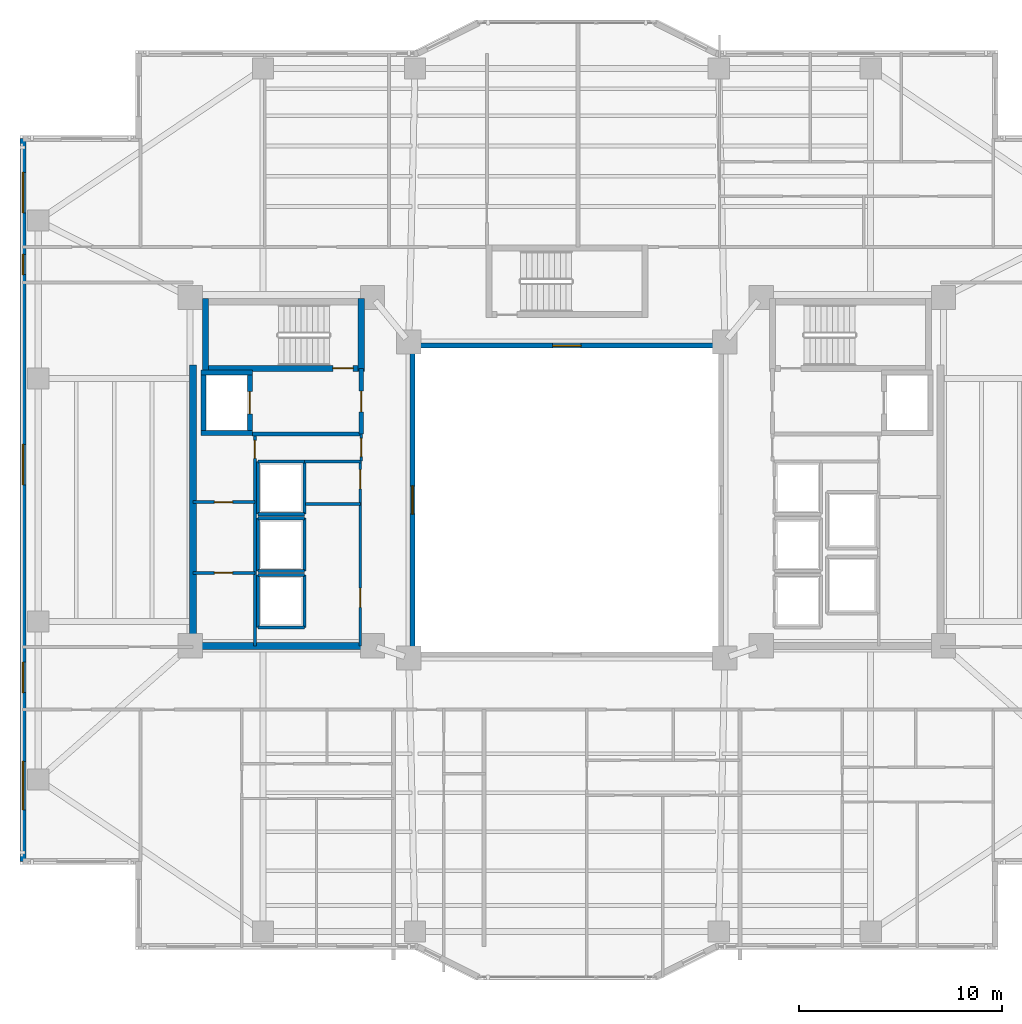
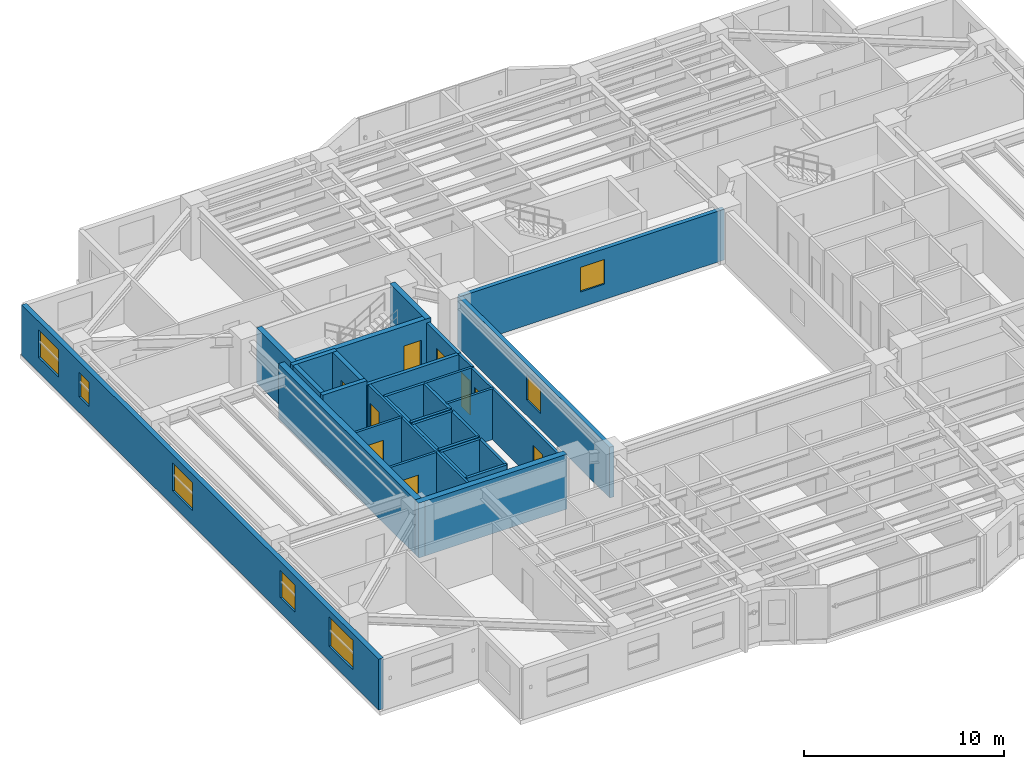
# One storey, part 7 of 18: 33 walls, 9 doors, 7 windows, 16 openings.
"""IFC4 building model written with IfcOpenShell, lengths in metres."""

from ifc_helpers import new_model, si_unit, direction, frame, frame_2d, origin, place, context, subcontext, project, spatial, rectangle, extrude, material, layer, layer_set, type_object, element, fill, save


model = new_model("IFC4")

# Units and contexts
model_context = context("Model", 3, precision=1e-05, world=origin(), true_north=direction((0.0, 1.0)))
body_context = subcontext(model_context, "Body", "Model", "MODEL_VIEW")
ifc_project = project(units=[si_unit("LENGTHUNIT", "METRE"), si_unit("AREAUNIT", "SQUARE_METRE"), si_unit("VOLUMEUNIT", "CUBIC_METRE"), si_unit("PLANEANGLEUNIT", "RADIAN"), si_unit("MASSUNIT", "GRAM", prefix="KILO")], contexts=[model_context])

# Site, building, storey
site_placement = place(None, origin())
site = spatial("IfcSite", under=ifc_project, at=site_placement, CompositionType="ELEMENT")
building_placement = place(site_placement, origin())
building = spatial("IfcBuilding", under=site, at=building_placement, Name="Tarnavaz Court Tower", CompositionType="ELEMENT")
storey_placement = place(building_placement, frame((0.0, 0.0, 88.35009765625)))
storey = spatial("IfcBuildingStorey", under=building, at=storey_placement, Name="L23", CompositionType="ELEMENT", Elevation=88.35009765625)

# Wall
ifc_material_1 = material(Name="Concrete C60/75", Category="concrete")
ifc_layer_1 = layer(ifc_material_1, 0.25)
ifc_layer_set_1 = layer_set([ifc_layer_1], Name="Concrete C60/75")
wall_type_1 = type_object("IfcWallType", Name="WL-CORE-250-C60", PredefinedType="SHEAR", material=ifc_layer_set_1)
wall_1_placement = place(storey_placement, frame((-17.949951171875, 3.175048828125, 0.0), z_axis=(0.0, 0.0, 1.0), x_axis=(0.0, 1.0, 0.0)))
element("IfcWall", 1, at=wall_1_placement, inside=storey, type_object=wall_type_1, Name="L23 Lift FL-W1 Shaft Wall 017", PredefinedType="SHEAR", context=body_context, shape_type="SweptSolid", body=[
    extrude(rectangle(XDim=3.25, YDim=0.25, at=frame_2d((1.625, 0.0))), origin(), (0.0, 0.0, 1.0), 3.349853515625),
])

# Wall, opening, door
wall_2_placement = place(storey_placement, frame((-15.64990234375, 3.175048828125, 0.0), z_axis=(0.0, 0.0, 1.0), x_axis=(0.0, 1.0, 0.0)))
wall_2 = element("IfcWall", 2, at=wall_2_placement, inside=storey, type_object=wall_type_1, Name="L23 Lift FL-W1 Shaft Wall 018", PredefinedType="SHEAR", context=body_context, shape_type="SweptSolid", body=[
    extrude(rectangle(XDim=3.25, YDim=0.25, at=frame_2d((1.625, 0.0))), origin(), (0.0, 0.0, 1.0), 3.349853515625),
])
opening_1_placement = place(wall_2_placement, frame((1.074951171875, 0.0, 0.0)))
opening_1 = element("IfcOpeningElement", 3, at=opening_1_placement, cuts=wall_2, Name="Opening LD1", PredefinedType="OPENING", context=body_context, shape_type="SweptSolid", body=[
    extrude(rectangle(XDim=1.10009765625, YDim=2.14990234375, at=frame_2d((0.550048828125, 1.074951171875))), frame((0.0, 0.135009765625, 0.0), z_axis=(0.0, -1.0, 0.0), x_axis=(1.0, 0.0, 0.0)), (0.0, 0.0, 1.0), 0.27001953125),
])
ifc_material_2 = material(Name="Stainless Steel", Category="steel")
door_type_1 = type_object("IfcDoorType", Name="DR-LD-1100", OperationType="NOTDEFINED", PredefinedType="DOOR", material=ifc_material_2)
door_1_placement = place(opening_1_placement, origin())
door_1 = element("IfcDoor", 4, at=door_1_placement, inside=storey, type_object=door_type_1, Name="L23 Lift Landing Door LD-FL-W1", OperationType="SLIDING_TO_LEFT", OverallHeight=2.14990234375, OverallWidth=1.10009765625, PredefinedType="DOOR", context=body_context, shape_type="SweptSolid", body=[
    extrude(rectangle(XDim=1.10009765625, YDim=2.14990234375, at=frame_2d((0.550048828125, 1.074951171875))), frame((0.0, 0.02490234375, 0.0), z_axis=(0.0, -1.0, 0.0), x_axis=(1.0, 0.0, 0.0)), (0.0, 0.0, 1.0), 0.050048828125),
])
fill(opening_1, door_1)

# Walls
for number, where, z_axis, x_axis, name in (
    (5, (-18.074951171875, 3.300048828125, 0.0), (0.0, 0.0, 1.0), (1.0, 0.0, 0.0), "L23 Lift FL-W1 Shaft Wall 019"),
    (6, (-18.074951171875, 6.300048828125, 0.0), (0.0, 0.0, 1.0), (1.0, 0.0, 0.0), "L23 Lift FL-W1 Shaft Wall 020"),
):
    element("IfcWall", number, at=place(storey_placement, frame(where, z_axis=z_axis, x_axis=x_axis)), inside=storey, type_object=wall_type_1, Name=name, PredefinedType="SHEAR", context=body_context, shape_type="SweptSolid", body=[
        extrude(rectangle(XDim=2.550048828125, YDim=0.25, at=frame_2d((1.27490234375, 0.0))), origin(), (0.0, 0.0, 1.0), 3.349853515625),
    ])

# Wall, opening, door
ifc_layer_2 = layer(ifc_material_1, 0.300048828125)
ifc_layer_set_2 = layer_set([ifc_layer_2], Name="Concrete C60/75")
wall_type_2 = type_object("IfcWallType", Name="WL-CORE-300-C60", PredefinedType="SHEAR", material=ifc_layer_set_2)
wall_3_placement = place(storey_placement, frame((-18.0, 6.5, 0.0), z_axis=(0.0, 0.0, 1.0), x_axis=(1.0, 0.0, 0.0)))
wall_3 = element("IfcWall", 7, at=wall_3_placement, inside=storey, type_object=wall_type_2, Name="L23 West Stair Core Wall 002", PredefinedType="SHEAR", context=body_context, shape_type="SweptSolid", body=[
    extrude(rectangle(XDim=8.0, YDim=0.300048828125, at=frame_2d((4.0, 0.0))), origin(), (0.0, 0.0, 1.0), 3.349853515625),
])
opening_2_placement = place(wall_3_placement, frame((6.449951171875, 0.0, 0.0)))
opening_2 = element("IfcOpeningElement", 8, at=opening_2_placement, cuts=wall_3, Name="Opening D01", PredefinedType="OPENING", context=body_context, shape_type="SweptSolid", body=[
    extrude(rectangle(XDim=1.0, YDim=2.14990234375, at=frame_2d((0.5, 1.074951171875))), frame((0.0, 0.159912109375, 0.0), z_axis=(0.0, -1.0, 0.0), x_axis=(1.0, 0.0, 0.0)), (0.0, 0.0, 1.0), 0.320068359375),
])
ifc_material_3 = material(Name="Fire-Rated Hardwood Timber Core", Category="wood")
door_type_2 = type_object("IfcDoorType", Name="DR-FD90-1000", OperationType="NOTDEFINED", PredefinedType="DOOR", material=ifc_material_3)
door_2_placement = place(opening_2_placement, origin())
door_2 = element("IfcDoor", 9, at=door_2_placement, inside=storey, type_object=door_type_2, Name="L23 Stair ST-W1 Exit Door", OperationType="SINGLE_SWING_LEFT", OverallHeight=2.14990234375, OverallWidth=1.0, PredefinedType="DOOR", context=body_context, shape_type="SweptSolid", body=[
    extrude(rectangle(XDim=1.0, YDim=2.14990234375, at=frame_2d((0.5, 1.074951171875))), frame((0.0, 0.02490234375, 0.0), z_axis=(0.0, -1.0, 0.0), x_axis=(1.0, 0.0, 0.0)), (0.0, 0.0, 1.0), 0.050048828125),
])
fill(opening_2, door_2)

# Walls
for number, where, z_axis, x_axis, name in (
    (10, (-17.85009765625, 6.35009765625, 0.0), (0.0, 0.0, 1.0), (0.0, 1.0, 0.0), "L23 West Stair Core Wall 003"),
    (11, (-10.14990234375, 6.35009765625, 0.0), (0.0, 0.0, 1.0), (0.0, 1.0, 0.0), "L23 West Stair Core Wall 004"),
):
    element("IfcWall", number, at=place(storey_placement, frame(where, z_axis=z_axis, x_axis=x_axis)), inside=storey, type_object=wall_type_2, Name=name, PredefinedType="SHEAR", context=body_context, shape_type="SweptSolid", body=[
        extrude(rectangle(XDim=3.58984375, YDim=0.300048828125, at=frame_2d((1.794921875, 0.0))), origin(), (0.0, 0.0, 1.0), 3.349853515625),
    ])
ifc_layer_3 = layer(ifc_material_1, 0.35009765625)
ifc_layer_set_3 = layer_set([ifc_layer_3], Name="Concrete C60/75")
wall_type_3 = type_object("IfcWallType", Name="WL-CORE-350-C60", PredefinedType="SHEAR", material=ifc_layer_set_3)
wall_4_placement = place(storey_placement, frame((-18.449951171875, -7.375, 0.0), z_axis=(0.0, 0.0, 1.0), x_axis=(0.0, 1.0, 0.0)))
element("IfcWall", 12, at=wall_4_placement, inside=storey, type_object=wall_type_3, Name="L23 West Core Shear Wall 057", PredefinedType="SHEAR", context=body_context, shape_type="SweptSolid", body=[
    extrude(rectangle(XDim=14.050048828125, YDim=0.35009765625, at=frame_2d((7.02490234375, 0.0))), origin(), (0.0, 0.0, 1.0), 3.349853515625),
])
wall_5_placement = place(storey_placement, frame((-18.625, -7.199951171875, 0.0), z_axis=(0.0, 0.0, 1.0), x_axis=(1.0, 0.0, 0.0)))
element("IfcWall", 13, at=wall_5_placement, inside=storey, type_object=wall_type_3, Name="L23 West Core South Shear Wall 058", PredefinedType="SHEAR", context=body_context, shape_type="SweptSolid", body=[
    extrude(rectangle(XDim=8.550048828125, YDim=0.35009765625, at=frame_2d((4.27490234375, 0.0))), origin(), (0.0, 0.0, 1.0), 3.349853515625),
])

# Wall, openings, windows
ifc_material_4 = material(Name="Precast Concrete C40/50", Category="concrete")
ifc_layer_4 = layer(ifc_material_4, 0.280029296875)
ifc_layer_set_4 = layer_set([ifc_layer_4], Name="Precast Concrete C40/50")
wall_type_4 = type_object("IfcWallType", Name="WL-EXT-280", PredefinedType="SOLIDWALL", material=ifc_layer_set_4)
wall_6_placement = place(storey_placement, frame((-26.85009765625, -17.85009765625, 0.0), z_axis=(0.0, 0.0, 1.0), x_axis=(0.0, 1.0, 0.0)))
wall_6 = element("IfcWall", 14, at=wall_6_placement, inside=storey, type_object=wall_type_4, Name="L23 Exterior Terracotta Facade Wall 02", PredefinedType="SOLIDWALL", context=body_context, shape_type="SweptSolid", body=[
    extrude(rectangle(XDim=35.7001953125, YDim=0.280029296875, at=frame_2d((17.85009765625, 0.0))), origin(), (0.0, 0.0, 1.0), 3.099853515625),
])
opening_3_placement = place(wall_6_placement, frame((2.550048828125, 0.0, 0.89990234375)))
opening_3 = element("IfcOpeningElement", 15, at=opening_3_placement, cuts=wall_6, Name="Opening W06", PredefinedType="OPENING", context=body_context, shape_type="SweptSolid", body=[
    extrude(rectangle(XDim=2.39990234375, YDim=1.800048828125, at=frame_2d((1.199951171875, 0.89990234375))), frame((0.0, 0.14990234375, 0.0), z_axis=(0.0, -1.0, 0.0), x_axis=(1.0, 0.0, 0.0)), (0.0, 0.0, 1.0), 0.300048828125),
])
opening_4_placement = place(wall_6_placement, frame((8.342529296875, 0.0, 0.89990234375)))
opening_4 = element("IfcOpeningElement", 16, at=opening_4_placement, cuts=wall_6, Name="Opening W03", PredefinedType="OPENING", context=body_context, shape_type="SweptSolid", body=[
    extrude(rectangle(XDim=1.5, YDim=1.64990234375, at=frame_2d((0.75, 0.824951171875))), frame((0.0, 0.14990234375, 0.0), z_axis=(0.0, -1.0, 0.0), x_axis=(1.0, 0.0, 0.0)), (0.0, 0.0, 1.0), 0.300048828125),
])
opening_5_placement = place(wall_6_placement, frame((18.60009765625, 0.0, 0.89990234375)))
opening_5 = element("IfcOpeningElement", 17, at=opening_5_placement, cuts=wall_6, Name="Opening W08", PredefinedType="OPENING", context=body_context, shape_type="SweptSolid", body=[
    extrude(rectangle(XDim=2.0, YDim=1.699951171875, at=frame_2d((1.0, 0.85009765625))), frame((0.0, 0.14990234375, 0.0), z_axis=(0.0, -1.0, 0.0), x_axis=(1.0, 0.0, 0.0)), (0.0, 0.0, 1.0), 0.300048828125),
])
opening_6_placement = place(wall_6_placement, frame((28.97509765625, 0.0, 0.949951171875)))
opening_6 = element("IfcOpeningElement", 18, at=opening_6_placement, cuts=wall_6, Name="Opening W14", PredefinedType="OPENING", context=body_context, shape_type="SweptSolid", body=[
    extrude(rectangle(XDim=1.0, YDim=1.5, at=frame_2d((0.5, 0.75))), frame((0.0, 0.14990234375, 0.0), z_axis=(0.0, -1.0, 0.0), x_axis=(1.0, 0.0, 0.0)), (0.0, 0.0, 1.0), 0.300048828125),
])
opening_7_placement = place(wall_6_placement, frame((32.02490234375, 0.0, 0.89990234375)))
opening_7 = element("IfcOpeningElement", 19, at=opening_7_placement, cuts=wall_6, Name="Opening W08", PredefinedType="OPENING", context=body_context, shape_type="SweptSolid", body=[
    extrude(rectangle(XDim=2.0, YDim=1.699951171875, at=frame_2d((1.0, 0.85009765625))), frame((0.0, 0.14990234375, 0.0), z_axis=(0.0, -1.0, 0.0), x_axis=(1.0, 0.0, 0.0)), (0.0, 0.0, 1.0), 0.300048828125),
])
ifc_material_5 = material(Name="Double-Glazed Solar Low-E Glass", Category="glass")
window_type_1 = type_object("IfcWindowType", Name="WN-APT-1000", PartitioningType="SINGLE_PANEL", PredefinedType="WINDOW", material=ifc_material_5)
window_1_placement = place(opening_6_placement, origin())
window_1 = element("IfcWindow", 20, at=window_1_placement, inside=storey, type_object=window_type_1, Name="L23 North-West Corner Corridor Window", OverallHeight=1.5, OverallWidth=1.0, PartitioningType="SINGLE_PANEL", PredefinedType="WINDOW", context=body_context, shape_type="SweptSolid", body=[
    extrude(rectangle(XDim=1.0, YDim=1.5, at=frame_2d((0.5, 0.75))), frame((0.0, 0.030029296875, 0.0), z_axis=(0.0, -1.0, 0.0), x_axis=(1.0, 0.0, 0.0)), (0.0, 0.0, 1.0), 0.06005859375),
])
fill(opening_6, window_1)
window_type_2 = type_object("IfcWindowType", Name="WN-APT-1500", PartitioningType="DOUBLE_PANEL_VERTICAL", PredefinedType="WINDOW", material=ifc_material_5)
window_2_placement = place(opening_4_placement, origin())
window_2 = element("IfcWindow", 21, at=window_2_placement, inside=storey, type_object=window_type_2, Name="L23 South-West Corner Corridor Window", OverallHeight=1.64990234375, OverallWidth=1.5, PartitioningType="SINGLE_PANEL", PredefinedType="WINDOW", context=body_context, shape_type="SweptSolid", body=[
    extrude(rectangle(XDim=1.5, YDim=1.64990234375, at=frame_2d((0.75, 0.824951171875))), frame((0.0, 0.030029296875, 0.0), z_axis=(0.0, -1.0, 0.0), x_axis=(1.0, 0.0, 0.0)), (0.0, 0.0, 1.0), 0.06005859375),
])
fill(opening_4, window_2)
window_type_3 = type_object("IfcWindowType", Name="WN-APT-2000", PartitioningType="DOUBLE_PANEL_VERTICAL", PredefinedType="WINDOW", material=ifc_material_5)
window_3_placement = place(opening_5_placement, origin())
window_3 = element("IfcWindow", 22, at=window_3_placement, inside=storey, type_object=window_type_3, Name="L23 West Wing Panoramic Study Gallery Window", OverallHeight=1.699951171875, OverallWidth=2.0, PartitioningType="SINGLE_PANEL", PredefinedType="WINDOW", context=body_context, shape_type="SweptSolid", body=[
    extrude(rectangle(XDim=2.0, YDim=1.699951171875, at=frame_2d((1.0, 0.85009765625))), frame((0.0, 0.030029296875, 0.0), z_axis=(0.0, -1.0, 0.0), x_axis=(1.0, 0.0, 0.0)), (0.0, 0.0, 1.0), 0.06005859375),
])
fill(opening_5, window_3)
window_4_placement = place(opening_7_placement, origin())
window_4 = element("IfcWindow", 23, at=window_4_placement, inside=storey, type_object=window_type_3, Name="L23 North-West Corner Sunroom Study Window", OverallHeight=1.699951171875, OverallWidth=2.0, PartitioningType="SINGLE_PANEL", PredefinedType="WINDOW", context=body_context, shape_type="SweptSolid", body=[
    extrude(rectangle(XDim=2.0, YDim=1.699951171875, at=frame_2d((1.0, 0.85009765625))), frame((0.0, 0.030029296875, 0.0), z_axis=(0.0, -1.0, 0.0), x_axis=(1.0, 0.0, 0.0)), (0.0, 0.0, 1.0), 0.06005859375),
])
fill(opening_7, window_4)
window_type_4 = type_object("IfcWindowType", Name="WN-APT-2400", PartitioningType="TRIPLE_PANEL_VERTICAL", PredefinedType="WINDOW", material=ifc_material_5)
window_5_placement = place(opening_3_placement, origin())
window_5 = element("IfcWindow", 24, at=window_5_placement, inside=storey, type_object=window_type_4, Name="L23 South-West Corner Reading Room Window", OverallHeight=1.800048828125, OverallWidth=2.39990234375, PartitioningType="SINGLE_PANEL", PredefinedType="WINDOW", context=body_context, shape_type="SweptSolid", body=[
    extrude(rectangle(XDim=2.39990234375, YDim=1.800048828125, at=frame_2d((1.199951171875, 0.89990234375))), frame((0.0, 0.030029296875, 0.0), z_axis=(0.0, -1.0, 0.0), x_axis=(1.0, 0.0, 0.0)), (0.0, 0.0, 1.0), 0.06005859375),
])
fill(opening_3, window_5)

# Wall
ifc_material_6 = material(Name="Autoclaved Aerated Concrete Blockwork", Category="masonry")
ifc_layer_5 = layer(ifc_material_6, 0.199951171875)
ifc_layer_set_5 = layer_set([ifc_layer_5], Name="Autoclaved Aerated Concrete Blockwork")
wall_type_5 = type_object("IfcWallType", Name="WL-FIRE-200", PredefinedType="SOLIDWALL", material=ifc_layer_set_5)
wall_7_placement = place(storey_placement, frame((-15.550048828125, 3.25, 0.0), z_axis=(0.0, 0.0, 1.0), x_axis=(1.0, 0.0, 0.0)))
element("IfcWall", 25, at=wall_7_placement, inside=storey, type_object=wall_type_5, Name="L23 West Firefighting Lobby Wall 013", PredefinedType="SOLIDWALL", context=body_context, shape_type="SweptSolid", body=[
    extrude(rectangle(XDim=5.400146484375, YDim=0.199951171875, at=frame_2d((2.7001953125, 0.0))), origin(), (0.0, 0.0, 1.0), 3.099853515625),
])

# Wall, opening, door
wall_8_placement = place(storey_placement, frame((-10.14990234375, 3.25, 0.0), z_axis=(0.0, 0.0, 1.0), x_axis=(0.0, 1.0, 0.0)))
wall_8 = element("IfcWall", 26, at=wall_8_placement, inside=storey, type_object=wall_type_5, Name="L23 West Firefighting Lobby Wall 014", PredefinedType="SOLIDWALL", context=body_context, shape_type="SweptSolid", body=[
    extrude(rectangle(XDim=3.25, YDim=0.199951171875, at=frame_2d((1.625, 0.0))), origin(), (0.0, 0.0, 1.0), 3.099853515625),
])
opening_8_placement = place(wall_8_placement, frame((1.10009765625, 0.0, 0.0)))
opening_8 = element("IfcOpeningElement", 27, at=opening_8_placement, cuts=wall_8, Name="Opening D05", PredefinedType="OPENING", context=body_context, shape_type="SweptSolid", body=[
    extrude(rectangle(XDim=1.02001953125, YDim=2.14990234375, at=frame_2d((0.510009765625, 1.074951171875))), frame((0.0, 0.10986328125, 0.0), z_axis=(0.0, -1.0, 0.0), x_axis=(1.0, 0.0, 0.0)), (0.0, 0.0, 1.0), 0.219970703125),
])
door_type_3 = type_object("IfcDoorType", Name="DR-FD60-1000", OperationType="NOTDEFINED", PredefinedType="DOOR", material=ifc_material_3)
door_3_placement = place(opening_8_placement, origin())
door_3 = element("IfcDoor", 28, at=door_3_placement, inside=storey, type_object=door_type_3, Name="L23 West Firefighting Lobby Door", OperationType="SINGLE_SWING_RIGHT", OverallHeight=2.14990234375, OverallWidth=1.02001953125, PredefinedType="DOOR", context=body_context, shape_type="SweptSolid", body=[
    extrude(rectangle(XDim=1.02001953125, YDim=2.14990234375, at=frame_2d((0.510009765625, 1.074951171875))), frame((0.0, 0.02490234375, 0.0), z_axis=(0.0, -1.0, 0.0), x_axis=(1.0, 0.0, 0.0)), (0.0, 0.0, 1.0), 0.050048828125),
])
fill(opening_8, door_3)

# Wall
ifc_material_7 = material(Name="Gypsum Plasterboard Acoustic Partition", Category="masonry")
ifc_layer_6 = layer(ifc_material_7, 0.139892578125)
ifc_layer_set_6 = layer_set([ifc_layer_6], Name="Gypsum Plasterboard Acoustic Partition")
wall_type_6 = type_object("IfcWallType", Name="WL-PART-150", PredefinedType="PARTITIONING", material=ifc_layer_set_6)
wall_9_placement = place(storey_placement, frame((-12.949951171875, 1.89990234375, 0.0), z_axis=(0.0, 0.0, 1.0), x_axis=(1.0, 0.0, 0.0)))
element("IfcWall", 29, at=wall_9_placement, inside=storey, type_object=wall_type_6, Name="L23 Interior Partition 061", PredefinedType="PARTITIONING", context=body_context, shape_type="SweptSolid", body=[
    extrude(rectangle(XDim=2.800048828125, YDim=0.139892578125, at=frame_2d((1.39990234375, 0.0))), origin(), (0.0, 0.0, 1.0), 3.099853515625),
])

# Wall, opening, door
wall_10_placement = place(storey_placement, frame((-10.14990234375, 1.919921875, 0.0), z_axis=(0.0, 0.0, 1.0), x_axis=(0.0, 1.0, 0.0)))
wall_10 = element("IfcWall", 30, at=wall_10_placement, inside=storey, type_object=wall_type_6, Name="L23 Interior Partition 062", PredefinedType="PARTITIONING", context=body_context, shape_type="SweptSolid", body=[
    extrude(rectangle(XDim=1.330078125, YDim=0.139892578125, at=frame_2d((0.6650390625, 0.0))), origin(), (0.0, 0.0, 1.0), 3.099853515625),
])
opening_9_placement = place(wall_10_placement, frame((0.219970703125, 0.0, 0.0)))
opening_9 = element("IfcOpeningElement", 31, at=opening_9_placement, cuts=wall_10, Name="Opening D09", PredefinedType="OPENING", context=body_context, shape_type="SweptSolid", body=[
    extrude(rectangle(XDim=0.89990234375, YDim=2.080078125, at=frame_2d((0.449951171875, 1.0400390625))), frame((0.0, 0.079833984375, 0.0), z_axis=(0.0, -1.0, 0.0), x_axis=(1.0, 0.0, 0.0)), (0.0, 0.0, 1.0), 0.159912109375),
])
door_type_4 = type_object("IfcDoorType", Name="DR-FD30-900", OperationType="NOTDEFINED", PredefinedType="DOOR", material=ifc_material_3)
door_4_placement = place(opening_9_placement, origin())
door_4 = element("IfcDoor", 32, at=door_4_placement, inside=storey, type_object=door_type_4, Name="L23 West Core Service Lobby Door", OperationType="SINGLE_SWING_LEFT", OverallHeight=2.080078125, OverallWidth=0.89990234375, PredefinedType="DOOR", context=body_context, shape_type="SweptSolid", body=[
    extrude(rectangle(XDim=0.89990234375, YDim=2.080078125, at=frame_2d((0.449951171875, 1.0400390625))), frame((0.0, 0.02490234375, 0.0), z_axis=(0.0, -1.0, 0.0), x_axis=(1.0, 0.0, 0.0)), (0.0, 0.0, 1.0), 0.050048828125),
])
fill(opening_9, door_4)

wall_11_placement = place(storey_placement, frame((-15.39990234375, -7.199951171875, 0.0), z_axis=(0.0, 0.0, 1.0), x_axis=(0.0, 1.0, 0.0)))
wall_11 = element("IfcWall", 33, at=wall_11_placement, inside=storey, type_object=wall_type_6, Name="L23 Interior Partition 063", PredefinedType="PARTITIONING", context=body_context, shape_type="SweptSolid", body=[
    extrude(rectangle(XDim=10.449951171875, YDim=0.139892578125, at=frame_2d((5.22509765625, 0.0))), origin(), (0.0, 0.0, 1.0), 3.099853515625),
])
opening_10_placement = place(wall_11_placement, frame((9.25, 0.0, 0.0)))
opening_10 = element("IfcOpeningElement", 34, at=opening_10_placement, cuts=wall_11, Name="Opening D09", PredefinedType="OPENING", context=body_context, shape_type="SweptSolid", body=[
    extrude(rectangle(XDim=0.89990234375, YDim=2.080078125, at=frame_2d((0.449951171875, 1.0400390625))), frame((0.0, 0.079833984375, 0.0), z_axis=(0.0, -1.0, 0.0), x_axis=(1.0, 0.0, 0.0)), (0.0, 0.0, 1.0), 0.159912109375),
])
door_5_placement = place(opening_10_placement, origin())
door_5 = element("IfcDoor", 35, at=door_5_placement, inside=storey, type_object=door_type_4, Name="L23 West ICT Comms Door", OperationType="SINGLE_SWING_RIGHT", OverallHeight=2.080078125, OverallWidth=0.89990234375, PredefinedType="DOOR", context=body_context, shape_type="SweptSolid", body=[
    extrude(rectangle(XDim=0.89990234375, YDim=2.080078125, at=frame_2d((0.449951171875, 1.0400390625))), frame((0.0, 0.02490234375, 0.0), z_axis=(0.0, -1.0, 0.0), x_axis=(1.0, 0.0, 0.0)), (0.0, 0.0, 1.0), 0.050048828125),
])
fill(opening_10, door_5)

wall_12_placement = place(storey_placement, frame((-18.449951171875, -3.60009765625, 0.0), z_axis=(0.0, 0.0, 1.0), x_axis=(1.0, 0.0, 0.0)))
wall_12 = element("IfcWall", 36, at=wall_12_placement, inside=storey, type_object=wall_type_6, Name="L23 Interior Partition 064", PredefinedType="PARTITIONING", context=body_context, shape_type="SweptSolid", body=[
    extrude(rectangle(XDim=3.050048828125, YDim=0.139892578125, at=frame_2d((1.52490234375, 0.0))), origin(), (0.0, 0.0, 1.0), 3.099853515625),
])
opening_11_placement = place(wall_12_placement, frame((1.050048828125, 0.0, 0.0)))
opening_11 = element("IfcOpeningElement", 37, at=opening_11_placement, cuts=wall_12, Name="Opening D09", PredefinedType="OPENING", context=body_context, shape_type="SweptSolid", body=[
    extrude(rectangle(XDim=0.89990234375, YDim=2.080078125, at=frame_2d((0.449951171875, 1.0400390625))), frame((0.0, 0.079833984375, 0.0), z_axis=(0.0, -1.0, 0.0), x_axis=(1.0, 0.0, 0.0)), (0.0, 0.0, 1.0), 0.159912109375),
])
door_6_placement = place(opening_11_placement, origin())
door_6 = element("IfcDoor", 38, at=door_6_placement, inside=storey, type_object=door_type_4, Name="L23 West Electrical Closet Door", OperationType="SINGLE_SWING_RIGHT", OverallHeight=2.080078125, OverallWidth=0.89990234375, PredefinedType="DOOR", context=body_context, shape_type="SweptSolid", body=[
    extrude(rectangle(XDim=0.89990234375, YDim=2.080078125, at=frame_2d((0.449951171875, 1.0400390625))), frame((0.0, 0.02490234375, 0.0), z_axis=(0.0, -1.0, 0.0), x_axis=(1.0, 0.0, 0.0)), (0.0, 0.0, 1.0), 0.050048828125),
])
fill(opening_11, door_6)

wall_13_placement = place(storey_placement, frame((-18.449951171875, -0.10009765625, 0.0), z_axis=(0.0, 0.0, 1.0), x_axis=(1.0, 0.0, 0.0)))
wall_13 = element("IfcWall", 39, at=wall_13_placement, inside=storey, type_object=wall_type_6, Name="L23 Interior Partition 065", PredefinedType="PARTITIONING", context=body_context, shape_type="SweptSolid", body=[
    extrude(rectangle(XDim=3.050048828125, YDim=0.139892578125, at=frame_2d((1.52490234375, 0.0))), origin(), (0.0, 0.0, 1.0), 3.099853515625),
])
opening_12_placement = place(wall_13_placement, frame((1.050048828125, 0.0, 0.0)))
opening_12 = element("IfcOpeningElement", 40, at=opening_12_placement, cuts=wall_13, Name="Opening D09", PredefinedType="OPENING", context=body_context, shape_type="SweptSolid", body=[
    extrude(rectangle(XDim=0.89990234375, YDim=2.080078125, at=frame_2d((0.449951171875, 1.0400390625))), frame((0.0, 0.079833984375, 0.0), z_axis=(0.0, -1.0, 0.0), x_axis=(1.0, 0.0, 0.0)), (0.0, 0.0, 1.0), 0.159912109375),
])
door_7_placement = place(opening_12_placement, origin())
door_7 = element("IfcDoor", 41, at=door_7_placement, inside=storey, type_object=door_type_4, Name="L23 West Chilled-Water Riser Door", OperationType="SINGLE_SWING_LEFT", OverallHeight=2.080078125, OverallWidth=0.89990234375, PredefinedType="DOOR", context=body_context, shape_type="SweptSolid", body=[
    extrude(rectangle(XDim=0.89990234375, YDim=2.080078125, at=frame_2d((0.449951171875, 1.0400390625))), frame((0.0, 0.02490234375, 0.0), z_axis=(0.0, -1.0, 0.0), x_axis=(1.0, 0.0, 0.0)), (0.0, 0.0, 1.0), 0.050048828125),
])
fill(opening_12, door_7)

# Wall, openings, doors
wall_14_placement = place(storey_placement, frame((-10.199951171875, -7.199951171875, 0.0), z_axis=(0.0, 0.0, 1.0), x_axis=(0.0, 1.0, 0.0)))
wall_14 = element("IfcWall", 42, at=wall_14_placement, inside=storey, type_object=wall_type_6, Name="L23 West Reclaimed Core Wall 066", PredefinedType="PARTITIONING", context=body_context, shape_type="SweptSolid", body=[
    extrude(rectangle(XDim=9.119873046875, YDim=0.139892578125, at=frame_2d((4.56005859375, 0.0))), origin(), (0.0, 0.0, 1.0), 3.099853515625),
])
opening_13_placement = place(wall_14_placement, frame((1.89990234375, 0.0, 0.0)))
opening_13 = element("IfcOpeningElement", 43, at=opening_13_placement, cuts=wall_14, Name="Opening D08", PredefinedType="OPENING", context=body_context, shape_type="SweptSolid", body=[
    extrude(rectangle(XDim=0.949951171875, YDim=2.1201171875, at=frame_2d((0.47509765625, 1.06005859375))), frame((0.0, 0.079833984375, 0.0), z_axis=(0.0, -1.0, 0.0), x_axis=(1.0, 0.0, 0.0)), (0.0, 0.0, 1.0), 0.159912109375),
])
opening_14_placement = place(wall_14_placement, frame((7.75, 0.0, 0.0)))
opening_14 = element("IfcOpeningElement", 44, at=opening_14_placement, cuts=wall_14, Name="Opening D08", PredefinedType="OPENING", context=body_context, shape_type="SweptSolid", body=[
    extrude(rectangle(XDim=0.949951171875, YDim=2.1201171875, at=frame_2d((0.47509765625, 1.06005859375))), frame((0.0, 0.079833984375, 0.0), z_axis=(0.0, -1.0, 0.0), x_axis=(1.0, 0.0, 0.0)), (0.0, 0.0, 1.0), 0.159912109375),
])
door_type_5 = type_object("IfcDoorType", Name="DR-FD30-950", OperationType="NOTDEFINED", PredefinedType="DOOR", material=ifc_material_3)
door_8_placement = place(opening_13_placement, origin())
door_8 = element("IfcDoor", 45, at=door_8_placement, inside=storey, type_object=door_type_5, Name="L23 West Study Room Door", OperationType="SINGLE_SWING_LEFT", OverallHeight=2.1201171875, OverallWidth=0.949951171875, PredefinedType="DOOR", context=body_context, shape_type="SweptSolid", body=[
    extrude(rectangle(XDim=0.949951171875, YDim=2.1201171875, at=frame_2d((0.47509765625, 1.06005859375))), frame((0.0, 0.02490234375, 0.0), z_axis=(0.0, -1.0, 0.0), x_axis=(1.0, 0.0, 0.0)), (0.0, 0.0, 1.0), 0.050048828125),
])
fill(opening_13, door_8)
door_9_placement = place(opening_14_placement, origin())
door_9 = element("IfcDoor", 46, at=door_9_placement, inside=storey, type_object=door_type_5, Name="L23 West Laundry Room Door", OperationType="SINGLE_SWING_RIGHT", OverallHeight=2.1201171875, OverallWidth=0.949951171875, PredefinedType="DOOR", context=body_context, shape_type="SweptSolid", body=[
    extrude(rectangle(XDim=0.949951171875, YDim=2.1201171875, at=frame_2d((0.47509765625, 1.06005859375))), frame((0.0, 0.02490234375, 0.0), z_axis=(0.0, -1.0, 0.0), x_axis=(1.0, 0.0, 0.0)), (0.0, 0.0, 1.0), 0.050048828125),
])
fill(opening_14, door_9)

# Walls
wall_15_placement = place(storey_placement, frame((-12.89990234375, -0.199951171875, 0.0), z_axis=(0.0, 0.0, 1.0), x_axis=(1.0, 0.0, 0.0)))
element("IfcWall", 47, at=wall_15_placement, inside=storey, type_object=wall_type_6, Name="L23 Interior Partition 067", PredefinedType="PARTITIONING", context=body_context, shape_type="SweptSolid", body=[
    extrude(rectangle(XDim=2.699951171875, YDim=0.139892578125, at=frame_2d((1.35009765625, 0.0))), origin(), (0.0, 0.0, 1.0), 3.099853515625),
])
ifc_layer_7 = layer(ifc_material_6, 0.159912109375)
ifc_layer_set_7 = layer_set([ifc_layer_7], Name="Autoclaved Aerated Concrete Blockwork")
wall_type_7 = type_object("IfcWallType", Name="WL-SHAFT-150", PredefinedType="SOLIDWALL", material=ifc_layer_set_7)
for number, where, z_axis, x_axis, name in (
    (48, (-15.25, -6.300048828125, 0.0), (0.0, 0.0, 1.0), (0.0, 1.0, 0.0), "L23 Lift PL-H1 Shaft Wall 021"),
    (49, (-12.949951171875, -6.300048828125, 0.0), (0.0, 0.0, 1.0), (0.0, 1.0, 0.0), "L23 Lift PL-H1 Shaft Wall 022"),
):
    element("IfcWall", number, at=place(storey_placement, frame(where, z_axis=z_axis, x_axis=x_axis)), inside=storey, type_object=wall_type_7, Name=name, PredefinedType="SOLIDWALL", context=body_context, shape_type="SweptSolid", body=[
        extrude(rectangle(XDim=2.60009765625, YDim=0.159912109375, at=frame_2d((1.300048828125, 0.0))), origin(), (0.0, 0.0, 1.0), 3.099853515625),
    ])
for number, where, z_axis, x_axis, name in (
    (50, (-15.25, -6.300048828125, 0.0), (0.0, 0.0, 1.0), (1.0, 0.0, 0.0), "L23 Lift PL-H1 Shaft Wall 023"),
    (51, (-15.25, -3.699951171875, 0.0), (0.0, 0.0, 1.0), (1.0, 0.0, 0.0), "L23 Lift PL-H1 Shaft Wall 024"),
):
    element("IfcWall", number, at=place(storey_placement, frame(where, z_axis=z_axis, x_axis=x_axis)), inside=storey, type_object=wall_type_7, Name=name, PredefinedType="SOLIDWALL", context=body_context, shape_type="SweptSolid", body=[
        extrude(rectangle(XDim=2.300048828125, YDim=0.159912109375, at=frame_2d((1.14990234375, 0.0))), origin(), (0.0, 0.0, 1.0), 3.099853515625),
    ])
for number, where, z_axis, x_axis, name in (
    (52, (-15.25, -3.5, 0.0), (0.0, 0.0, 1.0), (0.0, 1.0, 0.0), "L23 Lift PL-H2 Shaft Wall 025"),
    (53, (-12.949951171875, -3.5, 0.0), (0.0, 0.0, 1.0), (0.0, 1.0, 0.0), "L23 Lift PL-H2 Shaft Wall 026"),
):
    element("IfcWall", number, at=place(storey_placement, frame(where, z_axis=z_axis, x_axis=x_axis)), inside=storey, type_object=wall_type_7, Name=name, PredefinedType="SOLIDWALL", context=body_context, shape_type="SweptSolid", body=[
        extrude(rectangle(XDim=2.60009765625, YDim=0.159912109375, at=frame_2d((1.300048828125, 0.0))), origin(), (0.0, 0.0, 1.0), 3.099853515625),
    ])
for number, where, z_axis, x_axis, name in (
    (54, (-15.25, -3.5, 0.0), (0.0, 0.0, 1.0), (1.0, 0.0, 0.0), "L23 Lift PL-H2 Shaft Wall 027"),
    (55, (-15.25, -0.89990234375, 0.0), (0.0, 0.0, 1.0), (1.0, 0.0, 0.0), "L23 Lift PL-H2 Shaft Wall 028"),
):
    element("IfcWall", number, at=place(storey_placement, frame(where, z_axis=z_axis, x_axis=x_axis)), inside=storey, type_object=wall_type_7, Name=name, PredefinedType="SOLIDWALL", context=body_context, shape_type="SweptSolid", body=[
        extrude(rectangle(XDim=2.300048828125, YDim=0.159912109375, at=frame_2d((1.14990234375, 0.0))), origin(), (0.0, 0.0, 1.0), 3.099853515625),
    ])
for number, where, z_axis, x_axis, name in (
    (56, (-15.25, -0.699951171875, 0.0), (0.0, 0.0, 1.0), (0.0, 1.0, 0.0), "L23 Lift PL-H3 Shaft Wall 029"),
    (57, (-12.949951171875, -0.699951171875, 0.0), (0.0, 0.0, 1.0), (0.0, 1.0, 0.0), "L23 Lift PL-H3 Shaft Wall 030"),
):
    element("IfcWall", number, at=place(storey_placement, frame(where, z_axis=z_axis, x_axis=x_axis)), inside=storey, type_object=wall_type_7, Name=name, PredefinedType="SOLIDWALL", context=body_context, shape_type="SweptSolid", body=[
        extrude(rectangle(XDim=2.599853515625, YDim=0.159912109375, at=frame_2d((1.2998046875, 0.0))), origin(), (0.0, 0.0, 1.0), 3.099853515625),
    ])
for number, where, z_axis, x_axis, name in (
    (58, (-15.25, -0.699951171875, 0.0), (0.0, 0.0, 1.0), (1.0, 0.0, 0.0), "L23 Lift PL-H3 Shaft Wall 031"),
    (59, (-15.25, 1.89990234375, 0.0), (0.0, 0.0, 1.0), (1.0, 0.0, 0.0), "L23 Lift PL-H3 Shaft Wall 032"),
):
    element("IfcWall", number, at=place(storey_placement, frame(where, z_axis=z_axis, x_axis=x_axis)), inside=storey, type_object=wall_type_7, Name=name, PredefinedType="SOLIDWALL", context=body_context, shape_type="SweptSolid", body=[
        extrude(rectangle(XDim=2.300048828125, YDim=0.159912109375, at=frame_2d((1.14990234375, 0.0))), origin(), (0.0, 0.0, 1.0), 3.099853515625),
    ])

# Wall, opening, window
ifc_layer_8 = layer(ifc_material_4, 0.239990234375)
ifc_layer_set_8 = layer_set([ifc_layer_8], Name="Precast Concrete C40/50")
wall_type_8 = type_object("IfcWallType", Name="WL-WELL-240", PredefinedType="SOLIDWALL", material=ifc_layer_set_8)
wall_16_placement = place(storey_placement, frame((7.6201171875, 7.6201171875, 0.0), z_axis=(0.0, 0.0, 1.0), x_axis=(-1.0, 0.0, 0.0)))
wall_16 = element("IfcWall", 60, at=wall_16_placement, inside=storey, type_object=wall_type_8, Name="L23 Badgir Light-Well Exterior Wall N", PredefinedType="SOLIDWALL", context=body_context, shape_type="SweptSolid", body=[
    extrude(rectangle(XDim=15.240234375, YDim=0.239990234375, at=frame_2d((7.6201171875, 0.0))), origin(), (0.0, 0.0, 1.0), 3.099853515625),
])
opening_15_placement = place(wall_16_placement, frame((6.919921875, 0.0, 0.949951171875)))
opening_15 = element("IfcOpeningElement", 61, at=opening_15_placement, cuts=wall_16, Name="Opening W13", PredefinedType="OPENING", context=body_context, shape_type="SweptSolid", body=[
    extrude(rectangle(XDim=1.39990234375, YDim=1.5, at=frame_2d((0.699951171875, 0.75))), frame((0.0, 0.1298828125, 0.0), z_axis=(0.0, -1.0, 0.0), x_axis=(1.0, 0.0, 0.0)), (0.0, 0.0, 1.0), 0.260009765625),
])
window_type_5 = type_object("IfcWindowType", Name="WN-WEL-1400", PartitioningType="SINGLE_PANEL", PredefinedType="WINDOW", material=ifc_material_5)
window_6_placement = place(opening_15_placement, origin())
window_6 = element("IfcWindow", 62, at=window_6_placement, inside=storey, type_object=window_type_5, Name="L23 Courtyard Gallery Window N", OverallHeight=1.5, OverallWidth=1.39990234375, PartitioningType="SINGLE_PANEL", PredefinedType="WINDOW", context=body_context, shape_type="SweptSolid", body=[
    extrude(rectangle(XDim=1.39990234375, YDim=1.5, at=frame_2d((0.699951171875, 0.75))), frame((0.0, 0.030029296875, 0.0), z_axis=(0.0, -1.0, 0.0), x_axis=(1.0, 0.0, 0.0)), (0.0, 0.0, 1.0), 0.06005859375),
])
fill(opening_15, window_6)

wall_17_placement = place(storey_placement, frame((-7.6201171875, 7.6201171875, 0.0), z_axis=(0.0, 0.0, 1.0), x_axis=(0.0, -1.0, 0.0)))
wall_17 = element("IfcWall", 63, at=wall_17_placement, inside=storey, type_object=wall_type_8, Name="L23 Badgir Light-Well Exterior Wall W", PredefinedType="SOLIDWALL", context=body_context, shape_type="SweptSolid", body=[
    extrude(rectangle(XDim=15.240234375, YDim=0.239990234375, at=frame_2d((7.6201171875, 0.0))), origin(), (0.0, 0.0, 1.0), 3.099853515625),
])
opening_16_placement = place(wall_17_placement, frame((6.919921875, 0.0, 0.949951171875)))
opening_16 = element("IfcOpeningElement", 64, at=opening_16_placement, cuts=wall_17, Name="Opening W13", PredefinedType="OPENING", context=body_context, shape_type="SweptSolid", body=[
    extrude(rectangle(XDim=1.39990234375, YDim=1.5, at=frame_2d((0.699951171875, 0.75))), frame((0.0, 0.1298828125, 0.0), z_axis=(0.0, -1.0, 0.0), x_axis=(1.0, 0.0, 0.0)), (0.0, 0.0, 1.0), 0.260009765625),
])
window_7_placement = place(opening_16_placement, origin())
window_7 = element("IfcWindow", 65, at=window_7_placement, inside=storey, type_object=window_type_5, Name="L23 Courtyard Gallery Window W", OverallHeight=1.5, OverallWidth=1.39990234375, PartitioningType="SINGLE_PANEL", PredefinedType="WINDOW", context=body_context, shape_type="SweptSolid", body=[
    extrude(rectangle(XDim=1.39990234375, YDim=1.5, at=frame_2d((0.699951171875, 0.75))), frame((0.0, 0.030029296875, 0.0), z_axis=(0.0, -1.0, 0.0), x_axis=(1.0, 0.0, 0.0)), (0.0, 0.0, 1.0), 0.06005859375),
])
fill(opening_16, window_7)

save(model, "model.ifc")
